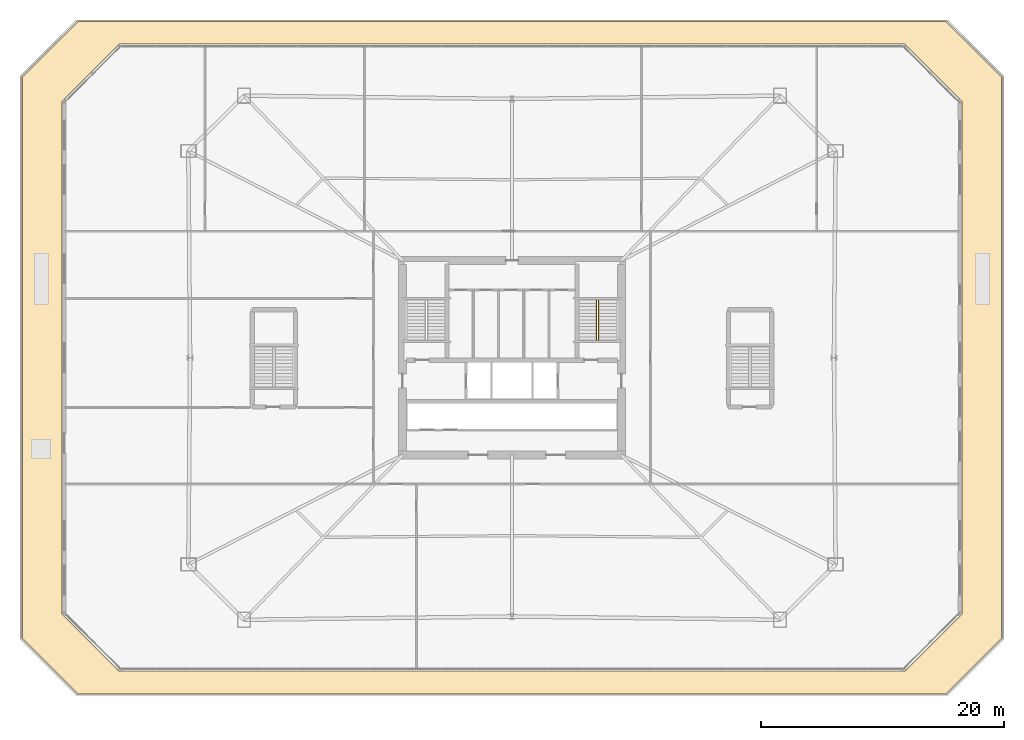
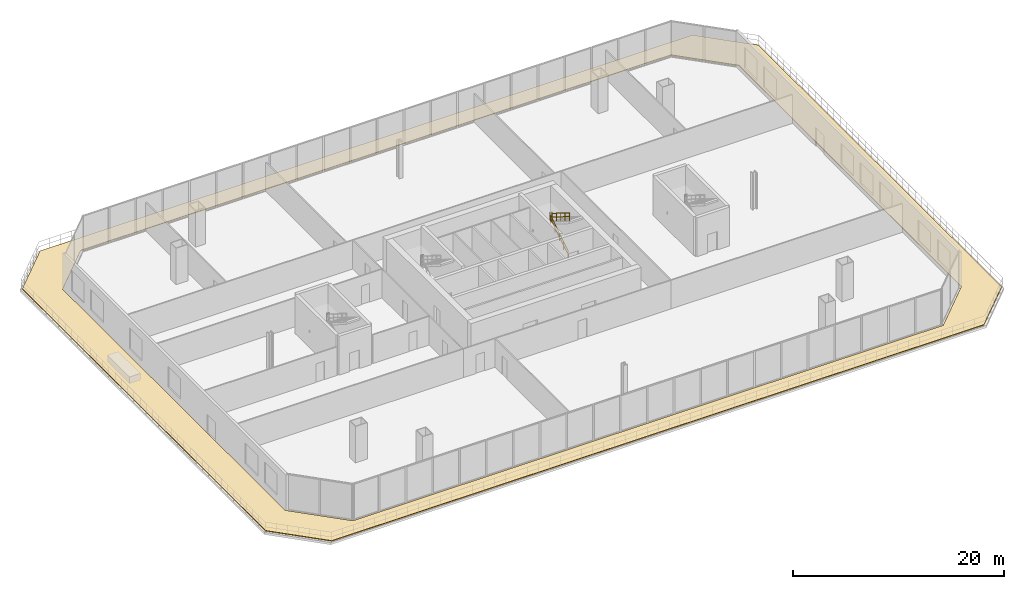
# One storey, part 30 of 31: 2 railings, 1 covering.
"""IFC4 building model written with IfcOpenShell, lengths in metres."""

from ifc_helpers import new_model, si_unit, direction, frame, origin, origin_2d, place, context, subcontext, project, spatial, polyline, circle, outline, extrude, material, layer, layer_set, type_object, element, save


model = new_model("IFC4")

# Units and contexts
model_context = context("Model", 3, precision=1e-05, world=origin(), true_north=direction((0.0, 1.0)))
body_context = subcontext(model_context, "Body", "Model", "MODEL_VIEW")
ifc_project = project(units=[si_unit("LENGTHUNIT", "METRE"), si_unit("AREAUNIT", "SQUARE_METRE"), si_unit("VOLUMEUNIT", "CUBIC_METRE"), si_unit("PLANEANGLEUNIT", "RADIAN"), si_unit("MASSUNIT", "GRAM", prefix="KILO")], contexts=[model_context])

# Site, building, storey
site_placement = place(None, origin())
site = spatial("IfcSite", under=ifc_project, at=site_placement, CompositionType="ELEMENT")
building_placement = place(site_placement, origin())
building = spatial("IfcBuilding", under=site, at=building_placement, Name="Caelvoria Tower", CompositionType="ELEMENT")
storey_placement = place(building_placement, frame((0.0, 0.0, 9.5)))
storey = spatial("IfcBuildingStorey", under=building, at=storey_placement, Name="L02", CompositionType="ELEMENT", Elevation=9.5)

# Railings
ifc_material_1 = material(Name="Brushed Stainless Steel Tube", Category="steel")
railing_type = type_object("IfcRailingType", Name="Stair Tubular Stainless Handrail 920", PredefinedType="HANDRAIL", material=ifc_material_1)
railing_1_placement = place(storey_placement, frame((52.969970703125, 33.449951171875, 0.173095703125)))
element("IfcRailing", 1, at=railing_1_placement, inside=storey, type_object=railing_type, Name="ST-02 Flight 1 Handrail L02", PredefinedType="HANDRAIL", context=body_context, shape_type="SweptSolid", body=[
    extrude(circle(Radius=0.02392578125, at=origin_2d()), frame((0.0, 0.0, 0.89599609375), z_axis=(0.0, 0.846337383501, 0.532647194011), x_axis=(-1.0, 0.0, 0.0)), (0.0, 0.0, 1.0), 3.899169921875),
    extrude(circle(Radius=0.02392578125, at=origin_2d()), frame((0.0, 0.0, 0.4599609375), z_axis=(0.0, 0.846337383501, 0.532647194011), x_axis=(-1.0, 0.0, 0.0)), (0.0, 0.0, 1.0), 3.899169921875),
    extrude(circle(Radius=0.02099609375, at=origin_2d()), origin(), (0.0, 0.0, 1.0), 0.871826171875),
    extrude(circle(Radius=0.02099609375, at=origin_2d()), frame((0.0, 0.824951171875, 0.519287109375)), (0.0, 0.0, 1.0), 0.871826171875),
    extrude(circle(Radius=0.02099609375, at=origin_2d()), frame((0.0, 1.64990234375, 1.03857421875)), (0.0, 0.0, 1.0), 0.871826171875),
    extrude(circle(Radius=0.02099609375, at=origin_2d()), frame((0.0, 2.47509765625, 1.5576171875)), (0.0, 0.0, 1.0), 0.871826171875),
    extrude(circle(Radius=0.02099609375, at=origin_2d()), frame((0.0, 3.300048828125, 2.076904296875)), (0.0, 0.0, 1.0), 0.871826171875),
])
railing_2_placement = place(storey_placement, frame((53.1298828125, 36.75, 2.423095703125)))
element("IfcRailing", 2, at=railing_2_placement, inside=storey, type_object=railing_type, Name="ST-02 Flight 2 Handrail L02", PredefinedType="HANDRAIL", context=body_context, shape_type="SweptSolid", body=[
    extrude(circle(Radius=0.02392578125, at=origin_2d()), frame((0.0, 0.0, 0.89599609375), z_axis=(0.0, -0.846337383501, 0.532647194011), x_axis=(1.0, 0.0, 0.0)), (0.0, 0.0, 1.0), 3.899169921875),
    extrude(circle(Radius=0.02392578125, at=origin_2d()), frame((0.0, 0.0, 0.4599609375), z_axis=(0.0, -0.846337383501, 0.532647194011), x_axis=(1.0, 0.0, 0.0)), (0.0, 0.0, 1.0), 3.899169921875),
    extrude(circle(Radius=0.02099609375, at=origin_2d()), origin(), (0.0, 0.0, 1.0), 0.871826171875),
    extrude(circle(Radius=0.02099609375, at=origin_2d()), frame((0.0, -0.824951171875, 0.519287109375)), (0.0, 0.0, 1.0), 0.871826171875),
    extrude(circle(Radius=0.02099609375, at=origin_2d()), frame((0.0, -1.64990234375, 1.03857421875)), (0.0, 0.0, 1.0), 0.871826171875),
    extrude(circle(Radius=0.02099609375, at=origin_2d()), frame((0.0, -2.47509765625, 1.5576171875)), (0.0, 0.0, 1.0), 0.871826171875),
    extrude(circle(Radius=0.02099609375, at=origin_2d()), frame((0.0, -3.300048828125, 2.076904296875)), (0.0, 0.0, 1.0), 0.871826171875),
])

# Covering
ifc_material_2 = material(Name="SBS Waterproofing Membrane and Extruded Insulation", Category="bitumen")
ifc_layer = layer(ifc_material_2, 0.1201171875, Name="SBS Waterproofing Membrane and Extruded Insulation")
ifc_layer_set = layer_set([ifc_layer], Name="Terrace Insulated Waterproof Roofing Membrane 120 - SBS Waterproofing Membrane and Extruded Insulation")
covering_type = type_object("IfcCoveringType", Name="Terrace Insulated Waterproof Roofing Membrane 120", PredefinedType="ROOFING", material=ifc_layer_set)
covering_placement = place(storey_placement, origin())
element("IfcCovering", 3, at=covering_placement, inside=storey, type_object=covering_type, Name="Terraced Podium Waterproof Roofing L02", PredefinedType="ROOFING", context=body_context, shape_type="SweptSolid", body=[
    extrude(outline(polyline([(10.27392578125, 4.334716796875), (81.72607421875, 4.334716796875), (86.30908203125, 8.909423828125), (86.30908203125, 55.090576171875), (81.72607421875, 59.665283203125), (10.27392578125, 59.665283203125), (5.69091796875, 55.090576171875), (5.69091796875, 8.909423828125), (10.27392578125, 4.334716796875)]), holes=[polyline([(8.96533203125, 10.880126953125), (8.96533203125, 53.119873046875), (13.668701171875, 57.824951171875), (78.331298828125, 57.824951171875), (83.03466796875, 53.119873046875), (83.03466796875, 10.880126953125), (78.331298828125, 6.175048828125), (13.668701171875, 6.175048828125), (8.96533203125, 10.880126953125)])]), origin(), (0.0, 0.0, 1.0), 0.080078125),
])

save(model, "model.ifc")
